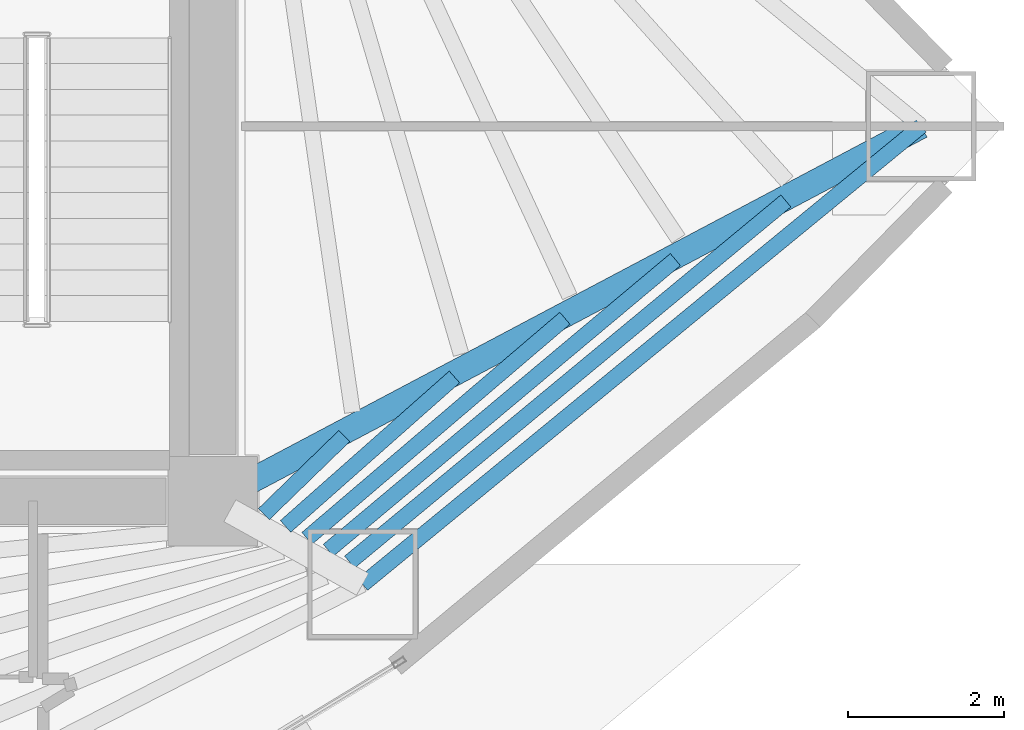
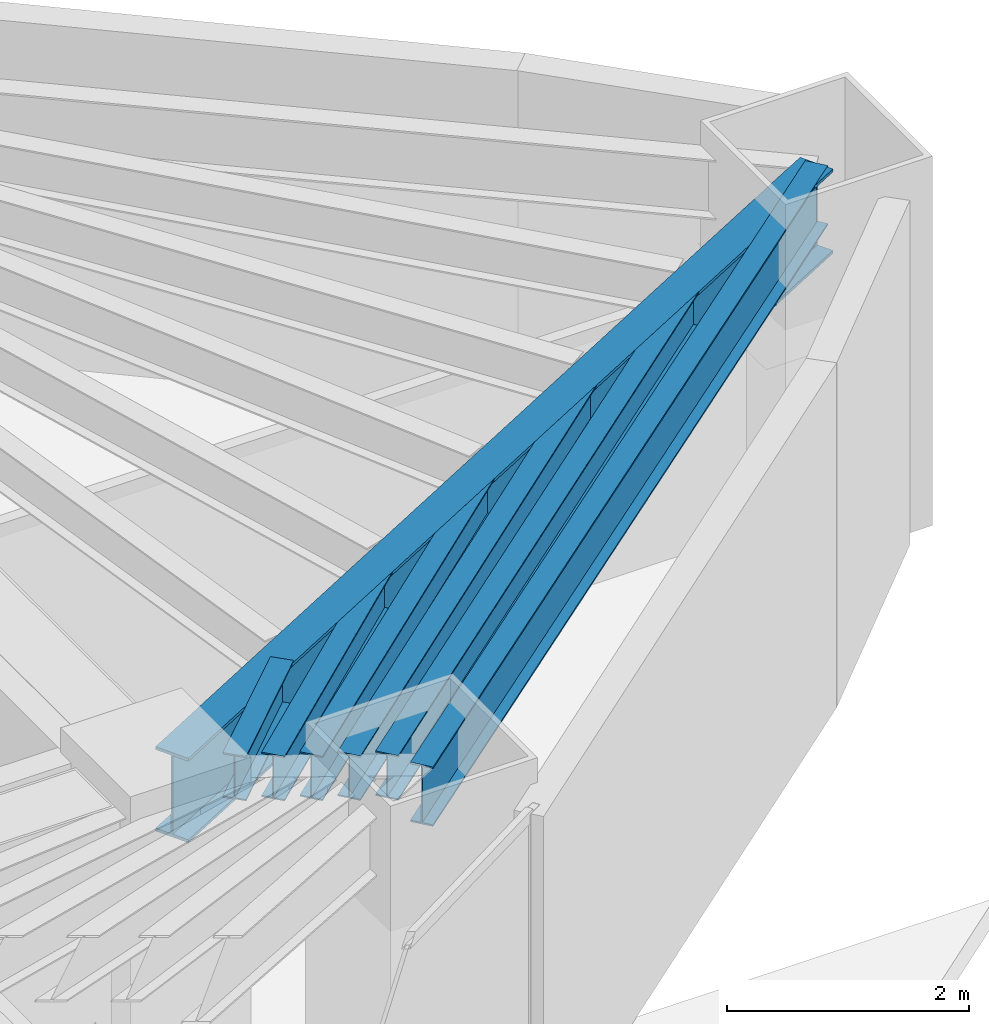
# One storey, part 6 of 17: 7 beams.
"""IFC4 building model written with IfcOpenShell, lengths in metres."""

from ifc_helpers import new_model, si_unit, direction, frame, origin, origin_2d, place, context, subcontext, project, spatial, i_section, extrude, material, material_profile, profile_set, type_object, element, save


model = new_model("IFC4")

# Units and contexts
model_context = context("Model", 3, precision=1e-05, world=origin(), true_north=direction((0.0, 1.0)))
body_context = subcontext(model_context, "Body", "Model", "MODEL_VIEW")
ifc_project = project(units=[si_unit("LENGTHUNIT", "METRE"), si_unit("AREAUNIT", "SQUARE_METRE"), si_unit("VOLUMEUNIT", "CUBIC_METRE"), si_unit("PLANEANGLEUNIT", "RADIAN"), si_unit("MASSUNIT", "GRAM", prefix="KILO")], contexts=[model_context])

# Site, building, storey
site_placement = place(None, origin())
site = spatial("IfcSite", under=ifc_project, at=site_placement, CompositionType="ELEMENT")
building_placement = place(site_placement, origin())
building = spatial("IfcBuilding", under=site, at=building_placement, Name="Menara Vayukalpa", CompositionType="ELEMENT")
storey_placement = place(building_placement, frame((0.0, 0.0, 27.60009765625)))
storey = spatial("IfcBuildingStorey", under=building, at=storey_placement, Name="L05", CompositionType="ELEMENT", Elevation=27.60009765625)

# Beams
ifc_material_1 = material(Name="Steel S355", Category="steel")
ifc_material_profile_1 = material_profile(ifc_material_1, i_section(OverallWidth=0.320068359375, OverallDepth=0.85009765625, WebThickness=0.01611328125, FlangeThickness=0.030029296875, at=origin_2d()), Name="WF 850x320x16x30")
ifc_profile_set_1 = profile_set([ifc_material_profile_1], Name="Steel S355")
beam_type_1 = type_object("IfcBeamType", Name="BM-PG2", PredefinedType="BEAM", material=ifc_profile_set_1)
beam_1_placement = place(storey_placement, frame((33.620849609375, 17.31689453125, 3.044921875), z_axis=(0.883746967157, 0.467965060704, 0.0), x_axis=(-0.467965060704, 0.883746967157, 0.0)))
element("IfcBeam", 1, at=beam_1_placement, inside=storey, type_object=beam_type_1, Name="L05 Primary Radial Girder RG01", PredefinedType="BEAM", context=body_context, shape_type="SweptSolid", body=[
    extrude(i_section(OverallWidth=0.320068359375, OverallDepth=0.85009765625, WebThickness=0.01611328125, FlangeThickness=0.030029296875, at=origin_2d()), origin(), (0.0, 0.0, 1.0), 10.00732421875),
])
ifc_material_2 = material(Name="Steel S355", Category="steel")
ifc_material_profile_2 = material_profile(ifc_material_2, i_section(OverallWidth=0.199951171875, OverallDepth=0.449951171875, WebThickness=0.009033203125, FlangeThickness=0.013916015625, at=origin_2d()), Name="WF 450x200x9x14")
ifc_profile_set_2 = profile_set([ifc_material_profile_2], Name="Steel S355")
beam_type_2 = type_object("IfcBeamType", Name="BM-SJ1", PredefinedType="JOIST", material=ifc_profile_set_2)
beam_2_placement = place(storey_placement, frame((34.0537109375, 17.03466796875, 3.244873046875), z_axis=(0.717488193219, 0.696570665899, 0.0), x_axis=(-0.696570665899, 0.717488193219, 0.0)))
element("IfcBeam", 2, at=beam_2_placement, inside=storey, type_object=beam_type_2, Name="L05 Secondary Floor Joist SJ09-1", PredefinedType="JOIST", context=body_context, shape_type="SweptSolid", body=[
    extrude(i_section(OverallWidth=0.199951171875, OverallDepth=0.449951171875, WebThickness=0.009033203125, FlangeThickness=0.013916015625, at=origin_2d()), origin(), (0.0, 0.0, 1.0), 1.435546875),
])
beam_3_placement = place(storey_placement, frame((34.331298828125, 16.877685546875, 3.244873046875), z_axis=(0.748970728252, 0.662603084978, 0.0), x_axis=(-0.662603084978, 0.748970728252, 0.0)))
element("IfcBeam", 3, at=beam_3_placement, inside=storey, type_object=beam_type_2, Name="L05 Secondary Floor Joist SJ09-2", PredefinedType="JOIST", context=body_context, shape_type="SweptSolid", body=[
    extrude(i_section(OverallWidth=0.199951171875, OverallDepth=0.449951171875, WebThickness=0.009033203125, FlangeThickness=0.013916015625, at=origin_2d()), origin(), (0.0, 0.0, 1.0), 2.88623046875),
])
beam_4_placement = place(storey_placement, frame((34.605224609375, 16.724609375, 3.244873046875), z_axis=(0.760660716004, 0.649149655418, 0.0), x_axis=(-0.649149655418, 0.760660716004, 0.0)))
element("IfcBeam", 4, at=beam_4_placement, inside=storey, type_object=beam_type_2, Name="L05 Secondary Floor Joist SJ09-3", PredefinedType="JOIST", context=body_context, shape_type="SweptSolid", body=[
    extrude(i_section(OverallWidth=0.199951171875, OverallDepth=0.449951171875, WebThickness=0.009033203125, FlangeThickness=0.013916015625, at=origin_2d()), origin(), (0.0, 0.0, 1.0), 4.33935546875),
])
beam_5_placement = place(storey_placement, frame((34.878173828125, 16.572509765625, 3.244873046875), z_axis=(0.766661190174, 0.642051882235, 0.0), x_axis=(-0.642051882235, 0.766661190174, 0.0)))
element("IfcBeam", 5, at=beam_5_placement, inside=storey, type_object=beam_type_2, Name="L05 Secondary Floor Joist SJ09-4", PredefinedType="JOIST", context=body_context, shape_type="SweptSolid", body=[
    extrude(i_section(OverallWidth=0.199951171875, OverallDepth=0.449951171875, WebThickness=0.009033203125, FlangeThickness=0.013916015625, at=origin_2d()), origin(), (0.0, 0.0, 1.0), 5.79345703125),
])
beam_6_placement = place(storey_placement, frame((35.15087890625, 16.421142578125, 3.244873046875), z_axis=(0.770362369683, 0.637606320056, 0.0), x_axis=(-0.637606320056, 0.770362369683, 0.0)))
element("IfcBeam", 6, at=beam_6_placement, inside=storey, type_object=beam_type_2, Name="L05 Secondary Floor Joist SJ09-5", PredefinedType="JOIST", context=body_context, shape_type="SweptSolid", body=[
    extrude(i_section(OverallWidth=0.199951171875, OverallDepth=0.449951171875, WebThickness=0.009033203125, FlangeThickness=0.013916015625, at=origin_2d()), origin(), (0.0, 0.0, 1.0), 7.24755859375),
])
ifc_material_3 = material(Name="Steel S355", Category="steel")
ifc_material_profile_3 = material_profile(ifc_material_3, i_section(OverallWidth=0.199951171875, OverallDepth=0.60009765625, WebThickness=0.010986328125, FlangeThickness=0.01708984375, at=origin_2d()), Name="WF 600x200x11x17")
ifc_profile_set_3 = profile_set([ifc_material_profile_3], Name="Steel S355")
beam_type_3 = type_object("IfcBeamType", Name="BM-SP1", PredefinedType="SPANDREL", material=ifc_profile_set_3)
beam_7_placement = place(storey_placement, frame((35.318115234375, 16.13671875, 3.169921875), z_axis=(0.773110561587, 0.63427128231, 0.0), x_axis=(-0.63427128231, 0.773110561587, 0.0)))
element("IfcBeam", 7, at=beam_7_placement, inside=storey, type_object=beam_type_3, Name="L05 Perimeter Spandrel Beam SP09", PredefinedType="SPANDREL", context=body_context, shape_type="SweptSolid", body=[
    extrude(i_section(OverallWidth=0.199951171875, OverallDepth=0.60009765625, WebThickness=0.010986328125, FlangeThickness=0.01708984375, at=origin_2d()), origin(), (0.0, 0.0, 1.0), 9.244140625),
])

save(model, "model.ifc")
